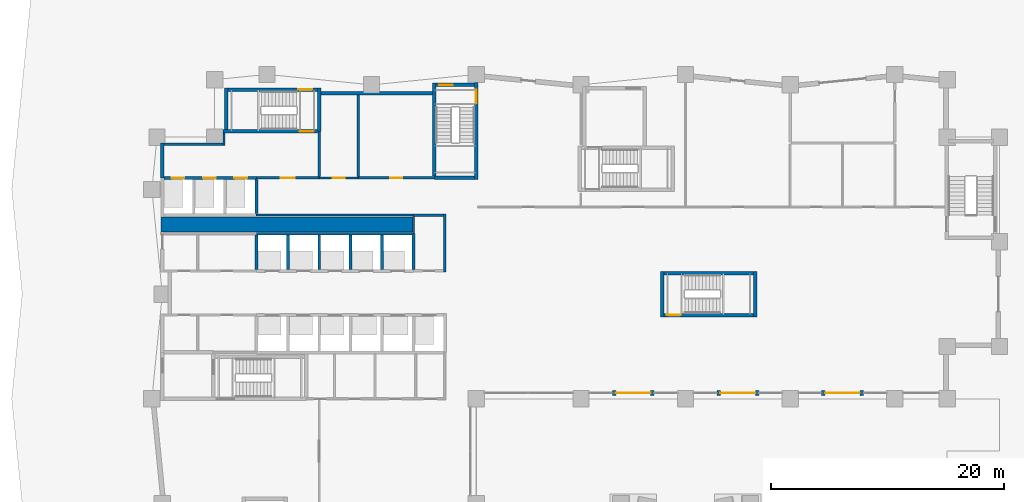
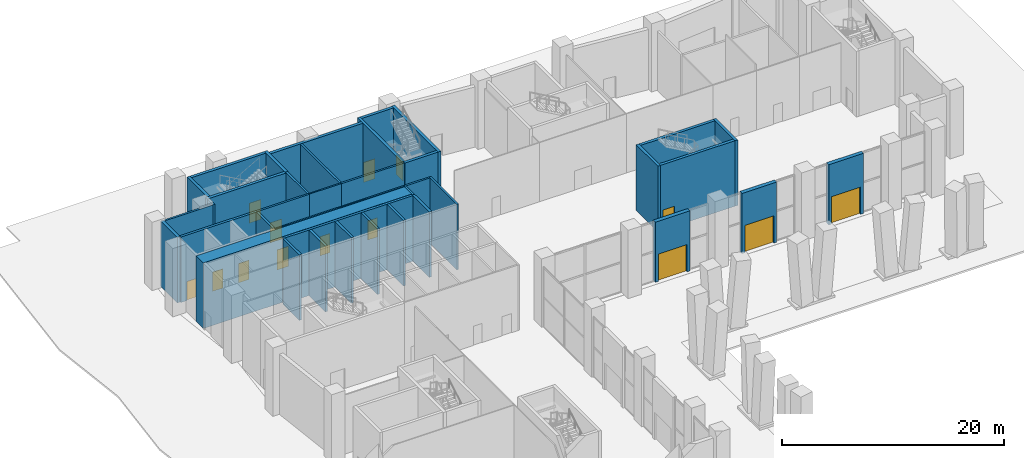
# One storey, part 9 of 16: 38 walls, 14 doors, 14 openings.
"""IFC4 building model written with IfcOpenShell, lengths in metres."""

from ifc_helpers import new_model, si_unit, direction, frame, frame_2d, origin, place, context, subcontext, project, spatial, rectangle, extrude, material, layer, layer_set, type_object, element, fill, save


model = new_model("IFC4")

# Units and contexts
model_context = context("Model", 3, precision=1e-05, world=origin(), true_north=direction((0.0, 1.0)))
body_context = subcontext(model_context, "Body", "Model", "MODEL_VIEW")
ifc_project = project(units=[si_unit("LENGTHUNIT", "METRE"), si_unit("AREAUNIT", "SQUARE_METRE"), si_unit("VOLUMEUNIT", "CUBIC_METRE"), si_unit("PLANEANGLEUNIT", "RADIAN"), si_unit("MASSUNIT", "GRAM", prefix="KILO")], contexts=[model_context])

# Site, building, storey
site_placement = place(None, origin())
site = spatial("IfcSite", under=ifc_project, at=site_placement, CompositionType="ELEMENT")
building_placement = place(site_placement, origin())
building = spatial("IfcBuilding", under=site, at=building_placement, Name="Brondeck Convention Tower", CompositionType="ELEMENT")
storey_placement = place(building_placement, origin())
storey = spatial("IfcBuildingStorey", under=building, at=storey_placement, Name="L00", CompositionType="ELEMENT", Elevation=0.0)

# Walls
ifc_material_1 = material(Name="Concrete C80/95", Category="concrete")
ifc_layer_1 = layer(ifc_material_1, 0.199951171875)
ifc_layer_set_1 = layer_set([ifc_layer_1], Name="Core beam-seat wall 200 Concrete C80/95")
wall_type_1 = type_object("IfcWallType", Name="Core beam-seat wall 200 Concrete C80/95", PredefinedType="SHEAR", material=ifc_layer_set_1)
wall_1_placement = place(storey_placement, frame((24.300048828125, 46.89990234375, 0.0), z_axis=(0.0, 0.0, 1.0), x_axis=(0.0, 1.0, 0.0)))
element("IfcWall", 1, at=wall_1_placement, inside=storey, type_object=wall_type_1, Name="L00 core wall", PredefinedType="SHEAR", context=body_context, shape_type="SweptSolid", body=[
    extrude(rectangle(XDim=5.0, YDim=0.199951171875, at=frame_2d((2.5, 0.0))), origin(), (0.0, 0.0, 1.0), 7.199951171875),
])
ifc_layer_2 = layer(ifc_material_1, 0.300048828125)
ifc_layer_set_2 = layer_set([ifc_layer_2], Name="Core outer wall 300 Concrete C80/95")
wall_type_2 = type_object("IfcWallType", Name="Core outer wall 300 Concrete C80/95", PredefinedType="SHEAR", material=ifc_layer_set_2)
wall_2_placement = place(storey_placement, frame((13.64990234375, 62.300048828125, 0.0), z_axis=(0.0, 0.0, 1.0), x_axis=(1.0, 0.0, 0.0)))
element("IfcWall", 2, at=wall_2_placement, inside=storey, type_object=wall_type_2, Name="L00 core wall", PredefinedType="SHEAR", context=body_context, shape_type="SweptSolid", body=[
    extrude(rectangle(XDim=9.60009765625, YDim=0.300048828125, at=frame_2d((4.800048828125, 0.0))), origin(), (0.0, 0.0, 1.0), 7.199951171875),
])
wall_3_placement = place(storey_placement, frame((0.0, 55.0, 0.0), z_axis=(0.0, 0.0, 1.0), x_axis=(0.0, 1.0, 0.0)))
element("IfcWall", 3, at=wall_3_placement, inside=storey, type_object=wall_type_2, Name="L00 core wall", PredefinedType="SHEAR", context=body_context, shape_type="SweptSolid", body=[
    extrude(rectangle(XDim=3.0, YDim=0.300048828125, at=frame_2d((1.5, 0.0))), origin(), (0.0, 0.0, 1.0), 7.199951171875),
])
ifc_material_2 = material(Name="Fire-rated gypsum board partition")
ifc_layer_3 = layer(ifc_material_2, 0.14990234375)
ifc_layer_set_3 = layer_set([ifc_layer_3], Name="Core partition 150 EI 60")
wall_type_3 = type_object("IfcWallType", Name="Core partition 150 EI 60", PredefinedType="PARTITIONING", material=ifc_layer_set_3)
wall_4_placement = place(storey_placement, frame((8.10009765625, 51.800048828125, 0.0), z_axis=(0.0, 0.0, 1.0), x_axis=(1.0, 0.0, 0.0)))
element("IfcWall", 4, at=wall_4_placement, inside=storey, type_object=wall_type_3, Name="L00 core wall", PredefinedType="PARTITIONING", context=body_context, shape_type="SweptSolid", body=[
    extrude(rectangle(XDim=13.5, YDim=0.14990234375, at=frame_2d((6.75, 0.0))), origin(), (0.0, 0.0, 1.0), 7.199951171875),
])

# Wall, opening, door
wall_5_placement = place(storey_placement, frame((13.5, 55.0, 0.0), z_axis=(0.0, 0.0, 1.0), x_axis=(1.0, 0.0, 0.0)))
wall_5 = element("IfcWall", 5, at=wall_5_placement, inside=storey, type_object=wall_type_3, Name="L00 core wall", PredefinedType="PARTITIONING", context=body_context, shape_type="SweptSolid", body=[
    extrude(rectangle(XDim=3.35009765625, YDim=0.14990234375, at=frame_2d((1.675048828125, 0.0))), origin(), (0.0, 0.0, 1.0), 7.199951171875),
])
opening_1_placement = place(wall_5_placement, frame((1.175048828125, 0.0, 0.0)))
opening_1 = element("IfcOpeningElement", 6, at=opening_1_placement, cuts=wall_5, Name="Opening C02-11", PredefinedType="OPENING", context=body_context, shape_type="SweptSolid", body=[
    extrude(rectangle(XDim=1.0, YDim=2.10009765625, at=frame_2d((0.5, 1.050048828125))), frame((0.0, 0.0849609375, 0.0), z_axis=(0.0, -1.0, 0.0), x_axis=(1.0, 0.0, 0.0)), (0.0, 0.0, 1.0), 0.169921875),
])
ifc_material_3 = material(Name="Steel fire door", Category="steel")
door_type_1 = type_object("IfcDoorType", Name="Room door 1000x2100 EI 60", OperationType="NOTDEFINED", PredefinedType="DOOR", material=ifc_material_3)
door_1_placement = place(opening_1_placement, origin())
door_1 = element("IfcDoor", 7, at=door_1_placement, inside=storey, type_object=door_type_1, Name="L00 Room door NE-1", OperationType="SINGLE_SWING_LEFT", OverallHeight=2.10009765625, OverallWidth=1.0, PredefinedType="DOOR", context=body_context, shape_type="SweptSolid", body=[
    extrude(rectangle(XDim=1.0, YDim=2.10009765625, at=frame_2d((0.5, 1.050048828125))), frame((0.0, 0.02490234375, 0.0), z_axis=(0.0, -1.0, 0.0), x_axis=(1.0, 0.0, 0.0)), (0.0, 0.0, 1.0), 0.050048828125),
])
fill(opening_1, door_1)

# Wall
ifc_layer_4 = layer(ifc_material_1, 1.300048828125)
ifc_layer_set_4 = layer_set([ifc_layer_4], Name="Core shear wall 1300 Concrete C80/95")
wall_type_4 = type_object("IfcWallType", Name="Core shear wall 1300 Concrete C80/95", PredefinedType="SHEAR", material=ifc_layer_set_4)
wall_6_placement = place(storey_placement, frame((-0.125, 51.0, 0.0), z_axis=(0.0, 0.0, 1.0), x_axis=(1.0, 0.0, 0.0)))
element("IfcWall", 8, at=wall_6_placement, inside=storey, type_object=wall_type_4, Name="L00 core wall", PredefinedType="SHEAR", context=body_context, shape_type="SweptSolid", body=[
    extrude(rectangle(XDim=21.625, YDim=1.300048828125, at=frame_2d((10.8125, 0.0))), origin(), (0.0, 0.0, 1.0), 7.199951171875),
])

# Wall, opening, door
ifc_material_4 = material(Name="Limestone", Category="masonry")
ifc_layer_5 = layer(ifc_material_4, 0.10009765625, Name="Limestone facing")
ifc_material_5 = material(Name="Mineral wool")
ifc_layer_6 = layer(ifc_material_5, 0.159912109375, Name="Insulation")
ifc_material_6 = material(Name="Concrete C35/45", Category="concrete")
ifc_layer_7 = layer(ifc_material_6, 0.139892578125, Name="Backing")
ifc_layer_set_5 = layer_set([ifc_layer_5, ifc_layer_6, ifc_layer_7], Name="External wall, limestone cladding")
wall_type_5 = type_object("IfcWallType", Name="External wall, limestone cladding", PredefinedType="SOLIDWALL", material=ifc_layer_set_5)
wall_7_placement = place(storey_placement, frame((42.300048828125, 36.5, 0.0), z_axis=(0.0, 0.0, 1.0), x_axis=(-1.0, 0.0, 0.0)))
wall_7 = element("IfcWall", 9, at=wall_7_placement, inside=storey, type_object=wall_type_5, Name="ENV-PW-L00-BASE-A-S-03", PredefinedType="SOLIDWALL", context=body_context, shape_type="SweptSolid", body=[
    extrude(rectangle(XDim=3.60009765625, YDim=0.39990234375, at=frame_2d((1.800048828125, 0.0))), origin(), (0.0, 0.0, 1.0), 6.60009765625),
])
opening_2_placement = place(wall_7_placement, frame((0.300048828125, 0.0, 0.0)))
opening_2 = element("IfcOpeningElement", 10, at=opening_2_placement, cuts=wall_7, Name="Opening DB-L00-ENT-A1", PredefinedType="OPENING", context=body_context, shape_type="SweptSolid", body=[
    extrude(rectangle(XDim=3.0, YDim=3.0, at=frame_2d((1.5, 1.5))), frame((0.0, 0.2099609375, 0.0), z_axis=(0.0, -1.0, 0.0), x_axis=(1.0, 0.0, 0.0)), (0.0, 0.0, 1.0), 0.419921875),
])
ifc_material_7 = material(Name="Aluminium, bronze anodised", Category="aluminium")
door_type_2 = type_object("IfcDoorType", Name="Entrance door set, double leaf", OperationType="DOUBLE_DOOR_SINGLE_SWING", PredefinedType="DOOR", material=ifc_material_7)
door_2_placement = place(opening_2_placement, origin())
door_2 = element("IfcDoor", 11, at=door_2_placement, inside=storey, type_object=door_type_2, Name="ENV-D-DB-L00-ENT-A1", OperationType="DOUBLE_DOOR_SINGLE_SWING", OverallHeight=3.0, OverallWidth=3.0, PredefinedType="DOOR", context=body_context, shape_type="SweptSolid", body=[
    extrude(rectangle(XDim=3.0, YDim=3.0, at=frame_2d((1.5, 1.5))), frame((0.0, 0.02490234375, 0.0), z_axis=(0.0, -1.0, 0.0), x_axis=(1.0, 0.0, 0.0)), (0.0, 0.0, 1.0), 0.050048828125),
])
fill(opening_2, door_2)

wall_8_placement = place(storey_placement, frame((51.300048828125, 36.5, 0.0), z_axis=(0.0, 0.0, 1.0), x_axis=(-1.0, 0.0, 0.0)))
wall_8 = element("IfcWall", 12, at=wall_8_placement, inside=storey, type_object=wall_type_5, Name="ENV-PW-L00-BASE-A-S-05", PredefinedType="SOLIDWALL", context=body_context, shape_type="SweptSolid", body=[
    extrude(rectangle(XDim=3.60009765625, YDim=0.39990234375, at=frame_2d((1.800048828125, 0.0))), origin(), (0.0, 0.0, 1.0), 6.60009765625),
])
opening_3_placement = place(wall_8_placement, frame((0.300048828125, 0.0, 0.0)))
opening_3 = element("IfcOpeningElement", 13, at=opening_3_placement, cuts=wall_8, Name="Opening DB-L00-ENT-A2", PredefinedType="OPENING", context=body_context, shape_type="SweptSolid", body=[
    extrude(rectangle(XDim=3.0, YDim=3.0, at=frame_2d((1.5, 1.5))), frame((0.0, 0.2099609375, 0.0), z_axis=(0.0, -1.0, 0.0), x_axis=(1.0, 0.0, 0.0)), (0.0, 0.0, 1.0), 0.419921875),
])
door_3_placement = place(opening_3_placement, origin())
door_3 = element("IfcDoor", 14, at=door_3_placement, inside=storey, type_object=door_type_2, Name="ENV-D-DB-L00-ENT-A2", OperationType="DOUBLE_DOOR_SINGLE_SWING", OverallHeight=3.0, OverallWidth=3.0, PredefinedType="DOOR", context=body_context, shape_type="SweptSolid", body=[
    extrude(rectangle(XDim=3.0, YDim=3.0, at=frame_2d((1.5, 1.5))), frame((0.0, 0.02490234375, 0.0), z_axis=(0.0, -1.0, 0.0), x_axis=(1.0, 0.0, 0.0)), (0.0, 0.0, 1.0), 0.050048828125),
])
fill(opening_3, door_3)

wall_9_placement = place(storey_placement, frame((60.300048828125, 36.5, 0.0), z_axis=(0.0, 0.0, 1.0), x_axis=(-1.0, 0.0, 0.0)))
wall_9 = element("IfcWall", 15, at=wall_9_placement, inside=storey, type_object=wall_type_5, Name="ENV-PW-L00-BASE-A-S-07", PredefinedType="SOLIDWALL", context=body_context, shape_type="SweptSolid", body=[
    extrude(rectangle(XDim=3.60009765625, YDim=0.39990234375, at=frame_2d((1.800048828125, 0.0))), origin(), (0.0, 0.0, 1.0), 6.60009765625),
])
opening_4_placement = place(wall_9_placement, frame((0.300048828125, 0.0, 0.0)))
opening_4 = element("IfcOpeningElement", 16, at=opening_4_placement, cuts=wall_9, Name="Opening DB-L00-ENT-A3", PredefinedType="OPENING", context=body_context, shape_type="SweptSolid", body=[
    extrude(rectangle(XDim=3.0, YDim=3.0, at=frame_2d((1.5, 1.5))), frame((0.0, 0.2099609375, 0.0), z_axis=(0.0, -1.0, 0.0), x_axis=(1.0, 0.0, 0.0)), (0.0, 0.0, 1.0), 0.419921875),
])
door_4_placement = place(opening_4_placement, origin())
door_4 = element("IfcDoor", 17, at=door_4_placement, inside=storey, type_object=door_type_2, Name="ENV-D-DB-L00-ENT-A3", OperationType="DOUBLE_DOOR_SINGLE_SWING", OverallHeight=3.0, OverallWidth=3.0, PredefinedType="DOOR", context=body_context, shape_type="SweptSolid", body=[
    extrude(rectangle(XDim=3.0, YDim=3.0, at=frame_2d((1.5, 1.5))), frame((0.0, 0.02490234375, 0.0), z_axis=(0.0, -1.0, 0.0), x_axis=(1.0, 0.0, 0.0)), (0.0, 0.0, 1.0), 0.050048828125),
])
fill(opening_4, door_4)

ifc_layer_8 = layer(ifc_material_2, 0.199951171875)
ifc_layer_set_6 = layer_set([ifc_layer_8], Name="Firefighting lobby wall 200 EI 120")
wall_type_6 = type_object("IfcWallType", Name="Firefighting lobby wall 200 EI 120", PredefinedType="PARTITIONING", material=ifc_layer_set_6)
wall_10_placement = place(storey_placement, frame((8.10009765625, 55.0, 0.0), z_axis=(0.0, 0.0, 1.0), x_axis=(1.0, 0.0, 0.0)))
wall_10 = element("IfcWall", 18, at=wall_10_placement, inside=storey, type_object=wall_type_6, Name="L00 core wall", PredefinedType="PARTITIONING", context=body_context, shape_type="SweptSolid", body=[
    extrude(rectangle(XDim=5.39990234375, YDim=0.199951171875, at=frame_2d((2.699951171875, 0.0))), origin(), (0.0, 0.0, 1.0), 7.199951171875),
])
opening_5_placement = place(wall_10_placement, frame((2.10009765625, 0.0, 0.0)))
opening_5 = element("IfcOpeningElement", 19, at=opening_5_placement, cuts=wall_10, Name="Opening C02-01", PredefinedType="OPENING", context=body_context, shape_type="SweptSolid", body=[
    extrude(rectangle(XDim=1.199951171875, YDim=2.199951171875, at=frame_2d((0.60009765625, 1.10009765625))), frame((0.0, 0.10986328125, 0.0), z_axis=(0.0, -1.0, 0.0), x_axis=(1.0, 0.0, 0.0)), (0.0, 0.0, 1.0), 0.219970703125),
])
door_type_3 = type_object("IfcDoorType", Name="Firefighting lobby door 1200x2200 EI 120", OperationType="NOTDEFINED", PredefinedType="DOOR", material=ifc_material_3)
door_5_placement = place(opening_5_placement, origin())
door_5 = element("IfcDoor", 20, at=door_5_placement, inside=storey, type_object=door_type_3, Name="L00 Firefighting lobby door FFL-1", OperationType="SINGLE_SWING_RIGHT", OverallHeight=2.199951171875, OverallWidth=1.199951171875, PredefinedType="DOOR", context=body_context, shape_type="SweptSolid", body=[
    extrude(rectangle(XDim=1.199951171875, YDim=2.199951171875, at=frame_2d((0.60009765625, 1.10009765625))), frame((0.0, 0.02490234375, 0.0), z_axis=(0.0, -1.0, 0.0), x_axis=(1.0, 0.0, 0.0)), (0.0, 0.0, 1.0), 0.050048828125),
])
fill(opening_5, door_5)

# Walls
wall_11_placement = place(storey_placement, frame((0.14990234375, 57.89990234375, 0.0), z_axis=(0.0, 0.0, 1.0), x_axis=(1.0, 0.0, 0.0)))
element("IfcWall", 21, at=wall_11_placement, inside=storey, type_object=wall_type_6, Name="L00 core wall", PredefinedType="PARTITIONING", context=body_context, shape_type="SweptSolid", body=[
    extrude(rectangle(XDim=5.050048828125, YDim=0.199951171875, at=frame_2d((2.52490234375, 0.0))), origin(), (0.0, 0.0, 1.0), 7.199951171875),
])
wall_12_placement = place(storey_placement, frame((5.300048828125, 57.800048828125, 0.0), z_axis=(0.0, 0.0, 1.0), x_axis=(0.0, 1.0, 0.0)))
element("IfcWall", 22, at=wall_12_placement, inside=storey, type_object=wall_type_6, Name="L00 core wall", PredefinedType="PARTITIONING", context=body_context, shape_type="SweptSolid", body=[
    extrude(rectangle(XDim=1.050048828125, YDim=0.199951171875, at=frame_2d((0.52490234375, 0.0))), origin(), (0.0, 0.0, 1.0), 7.199951171875),
])
wall_13_placement = place(storey_placement, frame((13.5, 55.10009765625, 0.0), z_axis=(0.0, 0.0, 1.0), x_axis=(0.0, 1.0, 0.0)))
element("IfcWall", 23, at=wall_13_placement, inside=storey, type_object=wall_type_6, Name="L00 core wall", PredefinedType="PARTITIONING", context=body_context, shape_type="SweptSolid", body=[
    extrude(rectangle(XDim=3.89990234375, YDim=0.199951171875, at=frame_2d((1.949951171875, 0.0))), origin(), (0.0, 0.0, 1.0), 7.199951171875),
])
ifc_layer_9 = layer(ifc_material_1, 0.25)
ifc_layer_set_7 = layer_set([ifc_layer_9], Name="Lift shaft wall 250 Concrete C80/95")
wall_type_7 = type_object("IfcWallType", Name="Lift shaft wall 250 Concrete C80/95", PredefinedType="SHEAR", material=ifc_layer_set_7)
wall_14_placement = place(storey_placement, frame((8.10009765625, 50.199951171875, 0.0), z_axis=(0.0, 0.0, 1.0), x_axis=(1.0, 0.0, 0.0)))
element("IfcWall", 24, at=wall_14_placement, inside=storey, type_object=wall_type_7, Name="L00 core wall", PredefinedType="SHEAR", context=body_context, shape_type="SweptSolid", body=[
    extrude(rectangle(XDim=13.375, YDim=0.25, at=frame_2d((6.6875, 0.0))), origin(), (0.0, 0.0, 1.0), 7.199951171875),
])

# Wall, openings, doors
wall_15_placement = place(storey_placement, frame((0.14990234375, 55.0, 0.0), z_axis=(0.0, 0.0, 1.0), x_axis=(1.0, 0.0, 0.0)))
wall_15 = element("IfcWall", 25, at=wall_15_placement, inside=storey, type_object=wall_type_7, Name="L00 core wall", PredefinedType="SHEAR", context=body_context, shape_type="SweptSolid", body=[
    extrude(rectangle(XDim=7.9501953125, YDim=0.25, at=frame_2d((3.97509765625, 0.0))), origin(), (0.0, 0.0, 1.0), 7.199951171875),
])
opening_6_placement = place(wall_15_placement, frame((0.64990234375, 0.0, 0.0)))
opening_6 = element("IfcOpeningElement", 26, at=opening_6_placement, cuts=wall_15, Name="Opening C02-33", PredefinedType="OPENING", context=body_context, shape_type="SweptSolid", body=[
    extrude(rectangle(XDim=1.10009765625, YDim=2.10009765625, at=frame_2d((0.550048828125, 1.050048828125))), frame((0.0, 0.135009765625, 0.0), z_axis=(0.0, -1.0, 0.0), x_axis=(1.0, 0.0, 0.0)), (0.0, 0.0, 1.0), 0.27001953125),
])
opening_7_placement = place(wall_15_placement, frame((3.35009765625, 0.0, 0.0)))
opening_7 = element("IfcOpeningElement", 27, at=opening_7_placement, cuts=wall_15, Name="Opening C02-34", PredefinedType="OPENING", context=body_context, shape_type="SweptSolid", body=[
    extrude(rectangle(XDim=1.10009765625, YDim=2.10009765625, at=frame_2d((0.550048828125, 1.050048828125))), frame((0.0, 0.135009765625, 0.0), z_axis=(0.0, -1.0, 0.0), x_axis=(1.0, 0.0, 0.0)), (0.0, 0.0, 1.0), 0.27001953125),
])
opening_8_placement = place(wall_15_placement, frame((6.050048828125, 0.0, 0.0)))
opening_8 = element("IfcOpeningElement", 28, at=opening_8_placement, cuts=wall_15, Name="Opening C02-35", PredefinedType="OPENING", context=body_context, shape_type="SweptSolid", body=[
    extrude(rectangle(XDim=1.10009765625, YDim=2.10009765625, at=frame_2d((0.550048828125, 1.050048828125))), frame((0.0, 0.135009765625, 0.0), z_axis=(0.0, -1.0, 0.0), x_axis=(1.0, 0.0, 0.0)), (0.0, 0.0, 1.0), 0.27001953125),
])
ifc_material_8 = material(Name="Stainless steel lift door", Category="steel")
door_type_4 = type_object("IfcDoorType", Name="Lift landing door 1100x2100 EI 180", OperationType="DOUBLE_DOOR_SLIDING", PredefinedType="DOOR", material=ifc_material_8)
door_6_placement = place(opening_6_placement, origin())
door_6 = element("IfcDoor", 29, at=door_6_placement, inside=storey, type_object=door_type_4, Name="L00 Lift landing door FF1", OperationType="DOUBLE_DOOR_SLIDING", OverallHeight=2.10009765625, OverallWidth=1.10009765625, PredefinedType="DOOR", context=body_context, shape_type="SweptSolid", body=[
    extrude(rectangle(XDim=1.10009765625, YDim=2.10009765625, at=frame_2d((0.550048828125, 1.050048828125))), frame((0.0, 0.02490234375, 0.0), z_axis=(0.0, -1.0, 0.0), x_axis=(1.0, 0.0, 0.0)), (0.0, 0.0, 1.0), 0.050048828125),
])
fill(opening_6, door_6)
door_7_placement = place(opening_7_placement, origin())
door_7 = element("IfcDoor", 30, at=door_7_placement, inside=storey, type_object=door_type_4, Name="L00 Lift landing door FF2", OperationType="DOUBLE_DOOR_SLIDING", OverallHeight=2.10009765625, OverallWidth=1.10009765625, PredefinedType="DOOR", context=body_context, shape_type="SweptSolid", body=[
    extrude(rectangle(XDim=1.10009765625, YDim=2.10009765625, at=frame_2d((0.550048828125, 1.050048828125))), frame((0.0, 0.02490234375, 0.0), z_axis=(0.0, -1.0, 0.0), x_axis=(1.0, 0.0, 0.0)), (0.0, 0.0, 1.0), 0.050048828125),
])
fill(opening_7, door_7)
door_8_placement = place(opening_8_placement, origin())
door_8 = element("IfcDoor", 31, at=door_8_placement, inside=storey, type_object=door_type_4, Name="L00 Lift landing door FF3", OperationType="DOUBLE_DOOR_SLIDING", OverallHeight=2.10009765625, OverallWidth=1.10009765625, PredefinedType="DOOR", context=body_context, shape_type="SweptSolid", body=[
    extrude(rectangle(XDim=1.10009765625, YDim=2.10009765625, at=frame_2d((0.550048828125, 1.050048828125))), frame((0.0, 0.02490234375, 0.0), z_axis=(0.0, -1.0, 0.0), x_axis=(1.0, 0.0, 0.0)), (0.0, 0.0, 1.0), 0.050048828125),
])
fill(opening_8, door_8)

# Walls
for number, where, z_axis, x_axis, name in (
    (32, (8.10009765625, 47.125, 0.0), (0.0, 0.0, 1.0), (0.0, 1.0, 0.0), "L00 core wall"),
    (33, (8.10009765625, 51.925048828125, 0.0), (0.0, 0.0, 1.0), (0.0, 1.0, 0.0), "L00 core wall"),
    (34, (10.800048828125, 47.125, 0.0), (0.0, 0.0, 1.0), (0.0, 1.0, 0.0), "L00 core wall"),
    (35, (13.5, 47.125, 0.0), (0.0, 0.0, 1.0), (0.0, 1.0, 0.0), "L00 core wall"),
    (36, (16.199951171875, 47.125, 0.0), (0.0, 0.0, 1.0), (0.0, 1.0, 0.0), "L00 core wall"),
    (37, (18.89990234375, 47.125, 0.0), (0.0, 0.0, 1.0), (0.0, 1.0, 0.0), "L00 core wall"),
):
    element("IfcWall", number, at=place(storey_placement, frame(where, z_axis=z_axis, x_axis=x_axis)), inside=storey, type_object=wall_type_7, Name=name, PredefinedType="SHEAR", context=body_context, shape_type="SweptSolid", body=[
        extrude(rectangle(XDim=2.949951171875, YDim=0.25, at=frame_2d((1.47509765625, 0.0))), origin(), (0.0, 0.0, 1.0), 7.199951171875),
    ])
wall_16_placement = place(storey_placement, frame((21.60009765625, 47.125, 0.0), z_axis=(0.0, 0.0, 1.0), x_axis=(0.0, 1.0, 0.0)))
element("IfcWall", 38, at=wall_16_placement, inside=storey, type_object=wall_type_7, Name="L00 core wall", PredefinedType="SHEAR", context=body_context, shape_type="SweptSolid", body=[
    extrude(rectangle(XDim=3.074951171875, YDim=0.25, at=frame_2d((1.53759765625, 0.0))), origin(), (0.0, 0.0, 1.0), 7.199951171875),
])
ifc_layer_10 = layer(ifc_material_2, 0.199951171875)
ifc_layer_set_8 = layer_set([ifc_layer_10], Name="Riser wall 200 EI 120")
wall_type_8 = type_object("IfcWallType", Name="Riser wall 200 EI 120", PredefinedType="PARTITIONING", material=ifc_layer_set_8)
wall_17_placement = place(storey_placement, frame((21.60009765625, 51.800048828125, 0.0), z_axis=(0.0, 0.0, 1.0), x_axis=(1.0, 0.0, 0.0)))
element("IfcWall", 39, at=wall_17_placement, inside=storey, type_object=wall_type_8, Name="L00 core wall", PredefinedType="PARTITIONING", context=body_context, shape_type="SweptSolid", body=[
    extrude(rectangle(XDim=2.599853515625, YDim=0.199951171875, at=frame_2d((1.2998046875, 0.0))), origin(), (0.0, 0.0, 1.0), 7.199951171875),
])

# Wall, opening, door
wall_18_placement = place(storey_placement, frame((16.85009765625, 55.0, 0.0), z_axis=(0.0, 0.0, 1.0), x_axis=(1.0, 0.0, 0.0)))
wall_18 = element("IfcWall", 40, at=wall_18_placement, inside=storey, type_object=wall_type_8, Name="L00 core wall", PredefinedType="PARTITIONING", context=body_context, shape_type="SweptSolid", body=[
    extrude(rectangle(XDim=6.5498046875, YDim=0.199951171875, at=frame_2d((3.27490234375, 0.0))), origin(), (0.0, 0.0, 1.0), 7.199951171875),
])
opening_9_placement = place(wall_18_placement, frame((2.77490234375, 0.0, 0.0)))
opening_9 = element("IfcOpeningElement", 41, at=opening_9_placement, cuts=wall_18, Name="Opening C02-12", PredefinedType="OPENING", context=body_context, shape_type="SweptSolid", body=[
    extrude(rectangle(XDim=1.0, YDim=2.10009765625, at=frame_2d((0.5, 1.050048828125))), frame((0.0, 0.10986328125, 0.0), z_axis=(0.0, -1.0, 0.0), x_axis=(1.0, 0.0, 0.0)), (0.0, 0.0, 1.0), 0.219970703125),
])
door_type_5 = type_object("IfcDoorType", Name="Riser door 1000x2100 EI 120", OperationType="NOTDEFINED", PredefinedType="DOOR", material=ifc_material_3)
door_9_placement = place(opening_9_placement, origin())
door_9 = element("IfcDoor", 42, at=door_9_placement, inside=storey, type_object=door_type_5, Name="L00 Riser door NE-2", OperationType="SINGLE_SWING_RIGHT", OverallHeight=2.10009765625, OverallWidth=1.0, PredefinedType="DOOR", context=body_context, shape_type="SweptSolid", body=[
    extrude(rectangle(XDim=1.0, YDim=2.10009765625, at=frame_2d((0.5, 1.050048828125))), frame((0.0, 0.02490234375, 0.0), z_axis=(0.0, -1.0, 0.0), x_axis=(1.0, 0.0, 0.0)), (0.0, 0.0, 1.0), 0.050048828125),
])
fill(opening_9, door_9)

# Walls
wall_19_placement = place(storey_placement, frame((16.85009765625, 55.10009765625, 0.0), z_axis=(0.0, 0.0, 1.0), x_axis=(0.0, 1.0, 0.0)))
element("IfcWall", 43, at=wall_19_placement, inside=storey, type_object=wall_type_8, Name="L00 core wall", PredefinedType="PARTITIONING", context=body_context, shape_type="SweptSolid", body=[
    extrude(rectangle(XDim=7.0498046875, YDim=0.199951171875, at=frame_2d((3.52490234375, 0.0))), origin(), (0.0, 0.0, 1.0), 7.199951171875),
])
wall_20_placement = place(storey_placement, frame((21.60009765625, 50.199951171875, 0.0), z_axis=(0.0, 0.0, 1.0), x_axis=(0.0, 1.0, 0.0)))
element("IfcWall", 44, at=wall_20_placement, inside=storey, type_object=wall_type_8, Name="L00 core wall", PredefinedType="PARTITIONING", context=body_context, shape_type="SweptSolid", body=[
    extrude(rectangle(XDim=1.5, YDim=0.199951171875, at=frame_2d((0.75, 0.0))), origin(), (0.0, 0.0, 1.0), 7.199951171875),
])

# Wall, opening, door
ifc_layer_11 = layer(ifc_material_1, 0.300048828125)
ifc_layer_set_9 = layer_set([ifc_layer_11], Name="Stair enclosure wall 300 Concrete C80/95")
wall_type_9 = type_object("IfcWallType", Name="Stair enclosure wall 300 Concrete C80/95", PredefinedType="SHEAR", material=ifc_layer_set_9)
wall_21_placement = place(storey_placement, frame((43.14990234375, 43.199951171875, 0.0), z_axis=(0.0, 0.0, 1.0), x_axis=(1.0, 0.0, 0.0)))
wall_21 = element("IfcWall", 45, at=wall_21_placement, inside=storey, type_object=wall_type_9, Name="L00 core wall", PredefinedType="SHEAR", context=body_context, shape_type="SweptSolid", body=[
    extrude(rectangle(XDim=7.7001953125, YDim=0.300048828125, at=frame_2d((3.85009765625, 0.0))), origin(), (0.0, 0.0, 1.0), 7.199951171875),
])
opening_10_placement = place(wall_21_placement, frame((0.25, 0.0, 0.0)))
opening_10 = element("IfcOpeningElement", 46, at=opening_10_placement, cuts=wall_21, Name="Opening C02-19", PredefinedType="OPENING", context=body_context, shape_type="SweptSolid", body=[
    extrude(rectangle(XDim=1.199951171875, YDim=2.199951171875, at=frame_2d((0.60009765625, 1.10009765625))), frame((0.0, 0.159912109375, 0.0), z_axis=(0.0, -1.0, 0.0), x_axis=(1.0, 0.0, 0.0)), (0.0, 0.0, 1.0), 0.320068359375),
])
door_type_6 = type_object("IfcDoorType", Name="Stair door 1200x2200 EI 90", OperationType="NOTDEFINED", PredefinedType="DOOR", material=ifc_material_3)
door_10_placement = place(opening_10_placement, origin())
door_10 = element("IfcDoor", 47, at=door_10_placement, inside=storey, type_object=door_type_6, Name="L00 Stair door ST-AF", OperationType="SINGLE_SWING_RIGHT", OverallHeight=2.199951171875, OverallWidth=1.199951171875, PredefinedType="DOOR", context=body_context, shape_type="SweptSolid", body=[
    extrude(rectangle(XDim=1.199951171875, YDim=2.199951171875, at=frame_2d((0.60009765625, 1.10009765625))), frame((0.0, 0.02490234375, 0.0), z_axis=(0.0, -1.0, 0.0), x_axis=(1.0, 0.0, 0.0)), (0.0, 0.0, 1.0), 0.050048828125),
])
fill(opening_10, door_10)

# Walls
wall_22_placement = place(storey_placement, frame((43.14990234375, 46.800048828125, 0.0), z_axis=(0.0, 0.0, 1.0), x_axis=(1.0, 0.0, 0.0)))
element("IfcWall", 48, at=wall_22_placement, inside=storey, type_object=wall_type_9, Name="L00 core wall", PredefinedType="SHEAR", context=body_context, shape_type="SweptSolid", body=[
    extrude(rectangle(XDim=7.7001953125, YDim=0.300048828125, at=frame_2d((3.85009765625, 0.0))), origin(), (0.0, 0.0, 1.0), 7.199951171875),
])
wall_23_placement = place(storey_placement, frame((23.39990234375, 55.0, 0.0), z_axis=(0.0, 0.0, 1.0), x_axis=(1.0, 0.0, 0.0)))
element("IfcWall", 49, at=wall_23_placement, inside=storey, type_object=wall_type_9, Name="L00 core wall", PredefinedType="SHEAR", context=body_context, shape_type="SweptSolid", body=[
    extrude(rectangle(XDim=3.4501953125, YDim=0.300048828125, at=frame_2d((1.72509765625, 0.0))), origin(), (0.0, 0.0, 1.0), 7.199951171875),
])

# Wall, opening, door
wall_24_placement = place(storey_placement, frame((5.199951171875, 59.0, 0.0), z_axis=(0.0, 0.0, 1.0), x_axis=(1.0, 0.0, 0.0)))
wall_24 = element("IfcWall", 50, at=wall_24_placement, inside=storey, type_object=wall_type_9, Name="L00 core wall", PredefinedType="SHEAR", context=body_context, shape_type="SweptSolid", body=[
    extrude(rectangle(XDim=8.150146484375, YDim=0.300048828125, at=frame_2d((4.0751953125, 0.0))), origin(), (0.0, 0.0, 1.0), 7.199951171875),
])
opening_11_placement = place(wall_24_placement, frame((6.60009765625, 0.0, 0.0)))
opening_11 = element("IfcOpeningElement", 51, at=opening_11_placement, cuts=wall_24, Name="Opening C02-17", PredefinedType="OPENING", context=body_context, shape_type="SweptSolid", body=[
    extrude(rectangle(XDim=1.199951171875, YDim=2.199951171875, at=frame_2d((0.60009765625, 1.10009765625))), frame((0.0, 0.159912109375, 0.0), z_axis=(0.0, -1.0, 0.0), x_axis=(1.0, 0.0, 0.0)), (0.0, 0.0, 1.0), 0.320068359375),
])
door_type_7 = type_object("IfcDoorType", Name="Stair door 1200x2200 EI 120", OperationType="NOTDEFINED", PredefinedType="DOOR", material=ifc_material_3)
door_11_placement = place(opening_11_placement, origin())
door_11 = element("IfcDoor", 52, at=door_11_placement, inside=storey, type_object=door_type_7, Name="L00 Stair door ST-3", OperationType="SINGLE_SWING_RIGHT", OverallHeight=2.199951171875, OverallWidth=1.199951171875, PredefinedType="DOOR", context=body_context, shape_type="SweptSolid", body=[
    extrude(rectangle(XDim=1.199951171875, YDim=2.199951171875, at=frame_2d((0.60009765625, 1.10009765625))), frame((0.0, 0.02490234375, 0.0), z_axis=(0.0, -1.0, 0.0), x_axis=(1.0, 0.0, 0.0)), (0.0, 0.0, 1.0), 0.050048828125),
])
fill(opening_11, door_11)

wall_25_placement = place(storey_placement, frame((5.64990234375, 62.60009765625, 0.0), z_axis=(0.0, 0.0, 1.0), x_axis=(1.0, 0.0, 0.0)))
wall_25 = element("IfcWall", 53, at=wall_25_placement, inside=storey, type_object=wall_type_9, Name="L00 core wall", PredefinedType="SHEAR", context=body_context, shape_type="SweptSolid", body=[
    extrude(rectangle(XDim=7.7001953125, YDim=0.300048828125, at=frame_2d((3.85009765625, 0.0))), origin(), (0.0, 0.0, 1.0), 7.199951171875),
])
opening_12_placement = place(wall_25_placement, frame((6.050048828125, 0.0, 0.0)))
opening_12 = element("IfcOpeningElement", 54, at=opening_12_placement, cuts=wall_25, Name="Opening C02-26", PredefinedType="OPENING", context=body_context, shape_type="SweptSolid", body=[
    extrude(rectangle(XDim=1.199951171875, YDim=2.199951171875, at=frame_2d((0.60009765625, 1.10009765625))), frame((0.0, 0.159912109375, 0.0), z_axis=(0.0, -1.0, 0.0), x_axis=(1.0, 0.0, 0.0)), (0.0, 0.0, 1.0), 0.320068359375),
])
door_type_8 = type_object("IfcDoorType", Name="Exit door external 1200x2200 EI 90", OperationType="NOTDEFINED", PredefinedType="DOOR", material=ifc_material_3)
door_12_placement = place(opening_12_placement, origin())
door_12 = element("IfcDoor", 55, at=door_12_placement, inside=storey, type_object=door_type_8, Name="L00 Exit door external ST-3", OperationType="SINGLE_SWING_LEFT", OverallHeight=2.199951171875, OverallWidth=1.199951171875, PredefinedType="DOOR", context=body_context, shape_type="SweptSolid", body=[
    extrude(rectangle(XDim=1.199951171875, YDim=2.199951171875, at=frame_2d((0.60009765625, 1.10009765625))), frame((0.0, 0.02490234375, 0.0), z_axis=(0.0, -1.0, 0.0), x_axis=(1.0, 0.0, 0.0)), (0.0, 0.0, 1.0), 0.050048828125),
])
fill(opening_12, door_12)

wall_26_placement = place(storey_placement, frame((23.550048828125, 63.0, 0.0), z_axis=(0.0, 0.0, 1.0), x_axis=(1.0, 0.0, 0.0)))
wall_26 = element("IfcWall", 56, at=wall_26_placement, inside=storey, type_object=wall_type_9, Name="L00 core wall", PredefinedType="SHEAR", context=body_context, shape_type="SweptSolid", body=[
    extrude(rectangle(XDim=3.300048828125, YDim=0.300048828125, at=frame_2d((1.64990234375, 0.0))), origin(), (0.0, 0.0, 1.0), 7.199951171875),
])
opening_13_placement = place(wall_26_placement, frame((0.25, 0.0, 0.0)))
opening_13 = element("IfcOpeningElement", 57, at=opening_13_placement, cuts=wall_26, Name="Opening C02-25", PredefinedType="OPENING", context=body_context, shape_type="SweptSolid", body=[
    extrude(rectangle(XDim=1.199951171875, YDim=2.199951171875, at=frame_2d((0.60009765625, 1.10009765625))), frame((0.0, 0.159912109375, 0.0), z_axis=(0.0, -1.0, 0.0), x_axis=(1.0, 0.0, 0.0)), (0.0, 0.0, 1.0), 0.320068359375),
])
door_13_placement = place(opening_13_placement, origin())
door_13 = element("IfcDoor", 58, at=door_13_placement, inside=storey, type_object=door_type_8, Name="L00 Exit door external ST-2", OperationType="SINGLE_SWING_RIGHT", OverallHeight=2.199951171875, OverallWidth=1.199951171875, PredefinedType="DOOR", context=body_context, shape_type="SweptSolid", body=[
    extrude(rectangle(XDim=1.199951171875, YDim=2.199951171875, at=frame_2d((0.60009765625, 1.10009765625))), frame((0.0, 0.02490234375, 0.0), z_axis=(0.0, -1.0, 0.0), x_axis=(1.0, 0.0, 0.0)), (0.0, 0.0, 1.0), 0.050048828125),
])
fill(opening_13, door_13)

# Walls
wall_27_placement = place(storey_placement, frame((5.5, 59.14990234375, 0.0), z_axis=(0.0, 0.0, 1.0), x_axis=(0.0, 1.0, 0.0)))
element("IfcWall", 59, at=wall_27_placement, inside=storey, type_object=wall_type_9, Name="L00 core wall", PredefinedType="SHEAR", context=body_context, shape_type="SweptSolid", body=[
    extrude(rectangle(XDim=3.60009765625, YDim=0.300048828125, at=frame_2d((1.800048828125, 0.0))), origin(), (0.0, 0.0, 1.0), 7.199951171875),
])
wall_28_placement = place(storey_placement, frame((13.5, 59.0, 0.0), z_axis=(0.0, 0.0, 1.0), x_axis=(0.0, 1.0, 0.0)))
element("IfcWall", 60, at=wall_28_placement, inside=storey, type_object=wall_type_9, Name="L00 core wall", PredefinedType="SHEAR", context=body_context, shape_type="SweptSolid", body=[
    extrude(rectangle(XDim=3.75, YDim=0.300048828125, at=frame_2d((1.875, 0.0))), origin(), (0.0, 0.0, 1.0), 7.199951171875),
])
wall_29_placement = place(storey_placement, frame((23.39990234375, 55.14990234375, 0.0), z_axis=(0.0, 0.0, 1.0), x_axis=(0.0, 1.0, 0.0)))
element("IfcWall", 61, at=wall_29_placement, inside=storey, type_object=wall_type_9, Name="L00 core wall", PredefinedType="SHEAR", context=body_context, shape_type="SweptSolid", body=[
    extrude(rectangle(XDim=8.0, YDim=0.300048828125, at=frame_2d((4.0, 0.0))), origin(), (0.0, 0.0, 1.0), 7.199951171875),
])

# Wall, opening, door
wall_30_placement = place(storey_placement, frame((27.0, 54.85009765625, 0.0), z_axis=(0.0, 0.0, 1.0), x_axis=(0.0, 1.0, 0.0)))
wall_30 = element("IfcWall", 62, at=wall_30_placement, inside=storey, type_object=wall_type_9, Name="L00 core wall", PredefinedType="SHEAR", context=body_context, shape_type="SweptSolid", body=[
    extrude(rectangle(XDim=8.349853515625, YDim=0.300048828125, at=frame_2d((4.1748046875, 0.0))), origin(), (0.0, 0.0, 1.0), 7.199951171875),
])
opening_14_placement = place(wall_30_placement, frame((6.550048828125, 0.0, 0.0)))
opening_14 = element("IfcOpeningElement", 63, at=opening_14_placement, cuts=wall_30, Name="Opening C02-16", PredefinedType="OPENING", context=body_context, shape_type="SweptSolid", body=[
    extrude(rectangle(XDim=1.199951171875, YDim=2.199951171875, at=frame_2d((0.60009765625, 1.10009765625))), frame((0.0, 0.159912109375, 0.0), z_axis=(0.0, -1.0, 0.0), x_axis=(1.0, 0.0, 0.0)), (0.0, 0.0, 1.0), 0.320068359375),
])
door_14_placement = place(opening_14_placement, origin())
door_14 = element("IfcDoor", 64, at=door_14_placement, inside=storey, type_object=door_type_6, Name="L00 Stair door ST-2", OperationType="SINGLE_SWING_LEFT", OverallHeight=2.199951171875, OverallWidth=1.199951171875, PredefinedType="DOOR", context=body_context, shape_type="SweptSolid", body=[
    extrude(rectangle(XDim=1.199951171875, YDim=2.199951171875, at=frame_2d((0.60009765625, 1.10009765625))), frame((0.0, 0.02490234375, 0.0), z_axis=(0.0, -1.0, 0.0), x_axis=(1.0, 0.0, 0.0)), (0.0, 0.0, 1.0), 0.050048828125),
])
fill(opening_14, door_14)

# Walls
for number, where, z_axis, x_axis, name in (
    (65, (43.0, 43.050048828125, 0.0), (0.0, 0.0, 1.0), (0.0, 1.0, 0.0), "L00 core wall"),
    (66, (51.0, 43.050048828125, 0.0), (0.0, 0.0, 1.0), (0.0, 1.0, 0.0), "L00 core wall"),
):
    element("IfcWall", number, at=place(storey_placement, frame(where, z_axis=z_axis, x_axis=x_axis)), inside=storey, type_object=wall_type_9, Name=name, PredefinedType="SHEAR", context=body_context, shape_type="SweptSolid", body=[
        extrude(rectangle(XDim=3.89990234375, YDim=0.300048828125, at=frame_2d((1.949951171875, 0.0))), origin(), (0.0, 0.0, 1.0), 7.199951171875),
    ])

save(model, "model.ifc")
